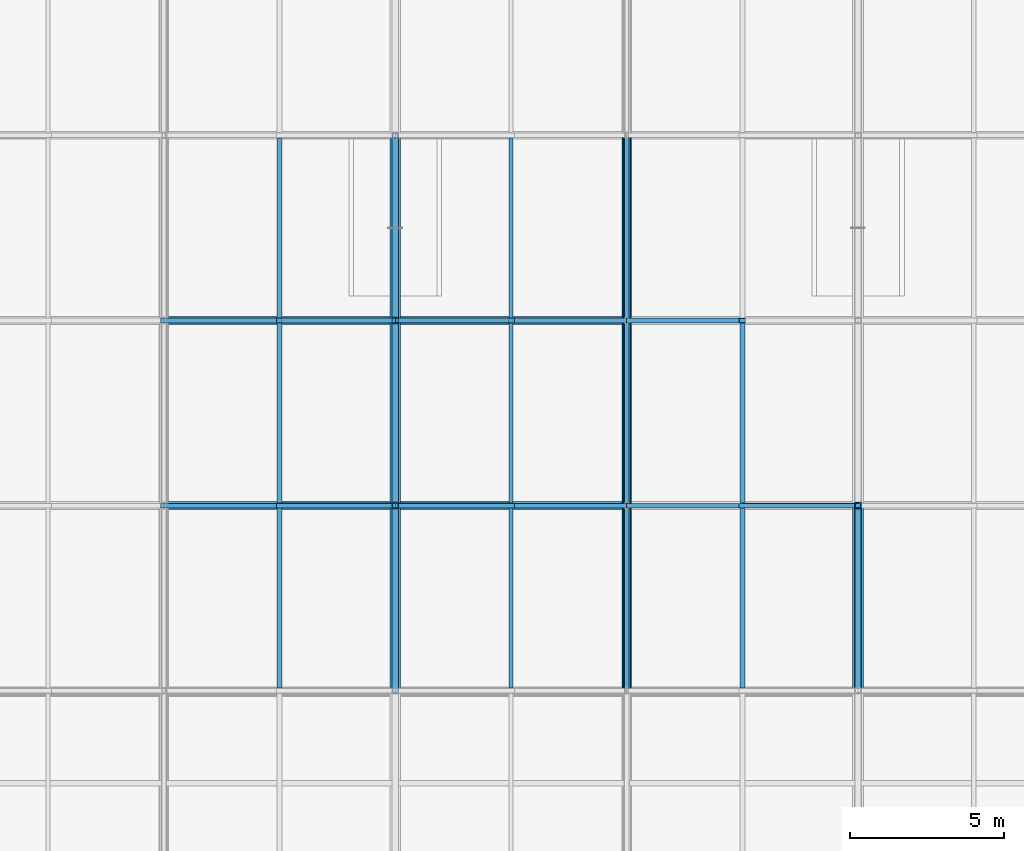
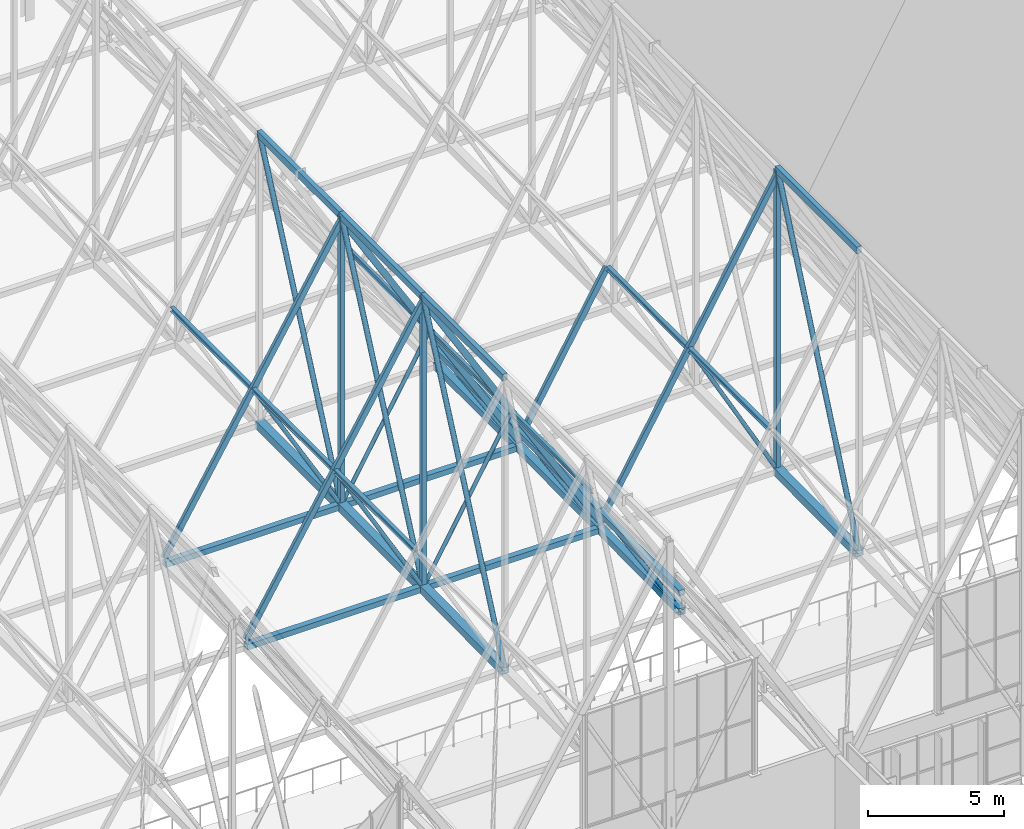
# One storey, part 103 of 324: 42 members, 8 beams.
"""IFC4 building model written with IfcOpenShell, lengths in metres."""

from ifc_helpers import new_model, si_unit, direction, frame, origin, origin_2d, place, context, subcontext, project, spatial, hollow_rectangle, hollow_circle, i_section, extrude, material, material_profile, profile_set, type_object, element, save


model = new_model("IFC4")

# Units and contexts
model_context = context("Model", 3, precision=1e-05, world=origin(), true_north=direction((0.0, 1.0)))
body_context = subcontext(model_context, "Body", "Model", "MODEL_VIEW")
ifc_project = project(units=[si_unit("LENGTHUNIT", "METRE"), si_unit("AREAUNIT", "SQUARE_METRE"), si_unit("VOLUMEUNIT", "CUBIC_METRE"), si_unit("PLANEANGLEUNIT", "RADIAN"), si_unit("MASSUNIT", "GRAM", prefix="KILO")], contexts=[model_context])

# Site, building, storey
site_placement = place(None, origin())
site = spatial("IfcSite", under=ifc_project, at=site_placement, CompositionType="ELEMENT")
building_placement = place(site_placement, origin())
building = spatial("IfcBuilding", under=site, at=building_placement, Name="Solvenia Promenade Tram Depot", CompositionType="ELEMENT")
storey_placement = place(building_placement, frame((0.0, 0.0, 4.5)))
storey = spatial("IfcBuildingStorey", under=building, at=storey_placement, Name="L01", CompositionType="ELEMENT", Elevation=4.5)

# Members
ifc_material_1 = material(Name="Structural steel ASTM A500 Gr. C", Category="steel")
ifc_material_profile_1 = material_profile(ifc_material_1, hollow_circle(Radius=0.109619140625, WallThickness=0.008056640625, at=origin_2d()), Name="CHS219.1x8", Category="steel")
ifc_profile_set_1 = profile_set([ifc_material_profile_1], Name="Structural steel ASTM A500 Gr. C")
member_type_1 = type_object("IfcMemberType", Name="Brace-CHS219x8", PredefinedType="BRACE", material=ifc_profile_set_1)
member_1_placement = place(storey_placement, frame((37.5, 78.0, 2.5439453125), z_axis=(0.0, 0.416336188857, 0.909210744464), x_axis=(-1.0, 0.0, 0.0)))
element("IfcMember", 1, at=member_1_placement, inside=storey, type_object=member_type_1, Name="Arched Truss T06 Web Diagonal S03", PredefinedType="BRACE", context=body_context, shape_type="SweptSolid", body=[
    extrude(hollow_circle(Radius=0.109619140625, WallThickness=0.008056640625, at=origin_2d()), origin(), (0.0, 0.0, 1.0), 14.411376953125),
])
member_2_placement = place(storey_placement, frame((37.5, 84.0, 2.614013671875), z_axis=(0.0, 0.418183944587, 0.908362366289), x_axis=(-1.0, 0.0, 0.0)))
element("IfcMember", 2, at=member_2_placement, inside=storey, type_object=member_type_1, Name="Arched Truss T06 Web Diagonal S04", PredefinedType="BRACE", context=body_context, shape_type="SweptSolid", body=[
    extrude(hollow_circle(Radius=0.109619140625, WallThickness=0.008056640625, at=origin_2d()), origin(), (0.0, 0.0, 1.0), 14.34765625),
])
member_3_placement = place(storey_placement, frame((37.5, 90.0, 2.656005859375), z_axis=(0.0, 0.419298352523, 0.907848495935), x_axis=(-1.0, 0.0, 0.0)))
element("IfcMember", 3, at=member_3_placement, inside=storey, type_object=member_type_1, Name="Arched Truss T06 Web Diagonal S05", PredefinedType="BRACE", context=body_context, shape_type="SweptSolid", body=[
    extrude(hollow_circle(Radius=0.109619140625, WallThickness=0.008056640625, at=origin_2d()), origin(), (0.0, 0.0, 1.0), 14.3095703125),
])
member_4_placement = place(storey_placement, frame((52.5, 78.0, 2.5439453125), z_axis=(0.0, 0.40503717219, 0.914300218279), x_axis=(-1.0, 0.0, 0.0)))
element("IfcMember", 4, at=member_4_placement, inside=storey, type_object=member_type_1, Name="Arched Truss T08 Web Diagonal S03", PredefinedType="BRACE", context=body_context, shape_type="SweptSolid", body=[
    extrude(hollow_circle(Radius=0.109619140625, WallThickness=0.008056640625, at=origin_2d()), origin(), (0.0, 0.0, 1.0), 14.8134765625),
])
ifc_material_profile_2 = material_profile(ifc_material_1, hollow_rectangle(XDim=0.14990234375, YDim=0.25, WallThickness=0.010009765625, at=origin_2d()), Name="HSS250x150x10", Category="steel")
ifc_profile_set_2 = profile_set([ifc_material_profile_2], Name="Structural steel ASTM A500 Gr. C")
member_type_2 = type_object("IfcMemberType", Name="Chord-HSS250x150x10", PredefinedType="CHORD", material=ifc_profile_set_2)
for number, where, z_axis, x_axis, name in (
    (5, (30.0, 84.0, 2.93017578125), (0.514584433357, 0.0, 0.857439712718), (0.0, 1.0, 0.0), "Zigzag Gable 03 West Lower Rafter"),
    (6, (33.75, 84.0, 9.1787109375), (0.514584433357, 0.0, 0.857439712718), (0.0, 1.0, 0.0), "Zigzag Gable 03 West Upper Rafter"),
    (7, (37.5, 84.0, 15.42724609375), (0.514584433357, 0.0, -0.857439712718), (0.0, 1.0, 0.0), "Zigzag Gable 03 East Upper Rafter"),
    (8, (41.25, 84.0, 9.1787109375), (0.514584433357, 0.0, -0.857439712718), (0.0, 1.0, 0.0), "Zigzag Gable 03 East Lower Rafter"),
    (9, (30.0, 90.0, 2.93017578125), (0.514584433357, 0.0, 0.857439712718), (0.0, 1.0, 0.0), "Zigzag Gable 03 West Lower Rafter"),
    (10, (33.75, 90.0, 9.1787109375), (0.514584433357, 0.0, 0.857439712718), (0.0, 1.0, 0.0), "Zigzag Gable 03 West Upper Rafter"),
    (11, (37.5, 90.0, 15.42724609375), (0.514584433357, 0.0, -0.857439712718), (0.0, 1.0, 0.0), "Zigzag Gable 03 East Upper Rafter"),
    (12, (41.25, 90.0, 9.1787109375), (0.514584433357, 0.0, -0.857439712718), (0.0, 1.0, 0.0), "Zigzag Gable 03 East Lower Rafter"),
):
    element("IfcMember", number, at=place(storey_placement, frame(where, z_axis=z_axis, x_axis=x_axis)), inside=storey, type_object=member_type_2, Name=name, PredefinedType="CHORD", context=body_context, shape_type="SweptSolid", body=[
        extrude(hollow_rectangle(XDim=0.14990234375, YDim=0.25, WallThickness=0.010009765625, at=origin_2d()), origin(), (0.0, 0.0, 1.0), 7.287353515625),
    ])
for number, where, z_axis, x_axis, name in (
    (13, (45.0, 84.0, 2.921142578125), (0.501516268578, 0.0, 0.865148214095), (0.0, 1.0, 0.0), "Zigzag Gable 04 West Lower Rafter"),
    (14, (48.75, 84.0, 9.39013671875), (0.501516268578, 0.0, 0.865148214095), (0.0, 1.0, 0.0), "Zigzag Gable 04 West Upper Rafter"),
    (15, (45.0, 90.0, 2.921142578125), (0.501516268578, 0.0, 0.865148214095), (0.0, 1.0, 0.0), "Zigzag Gable 04 West Lower Rafter"),
):
    element("IfcMember", number, at=place(storey_placement, frame(where, z_axis=z_axis, x_axis=x_axis)), inside=storey, type_object=member_type_2, Name=name, PredefinedType="CHORD", context=body_context, shape_type="SweptSolid", body=[
        extrude(hollow_rectangle(XDim=0.14990234375, YDim=0.25, WallThickness=0.010009765625, at=origin_2d()), origin(), (0.0, 0.0, 1.0), 7.477294921875),
    ])
ifc_material_profile_3 = material_profile(ifc_material_1, hollow_rectangle(XDim=0.25, YDim=0.25, WallThickness=0.010009765625, at=origin_2d()), Name="HSS250x250x10", Category="steel")
ifc_profile_set_3 = profile_set([ifc_material_profile_3], Name="Structural steel ASTM A500 Gr. C")
member_type_3 = type_object("IfcMemberType", Name="Chord-HSS250x250x10", PredefinedType="CHORD", material=ifc_profile_set_3)
for number, where, z_axis, x_axis, name in (
    (16, (45.0, 78.0, 3.3798828125), (0.0, 1.0, 0.0), (-1.0, 0.0, 0.0), "Arched Truss T07 Upper Chord S03"),
    (17, (45.0, 84.0, 3.3798828125), (0.0, 1.0, 0.0), (-1.0, 0.0, 0.0), "Arched Truss T07 Upper Chord S04"),
    (18, (45.0, 90.0, 3.3798828125), (0.0, 1.0, 0.0), (-1.0, 0.0, 0.0), "Arched Truss T07 Upper Chord S05"),
):
    element("IfcMember", number, at=place(storey_placement, frame(where, z_axis=z_axis, x_axis=x_axis)), inside=storey, type_object=member_type_3, Name=name, PredefinedType="CHORD", context=body_context, shape_type="SweptSolid", body=[
        extrude(hollow_rectangle(XDim=0.25, YDim=0.25, WallThickness=0.010009765625, at=origin_2d()), origin(), (0.0, 0.0, 1.0), 6.0),
    ])
for number, where, z_axis, x_axis, name in (
    (19, (30.0, 84.0, 2.614013671875), (1.0, 0.0, 0.0), (0.0, 1.0, 0.0), "Bottom-Chord Catenary Lateral Tie 021"),
    (20, (30.0, 90.0, 2.656005859375), (1.0, 0.0, 0.0), (0.0, 1.0, 0.0), "Bottom-Chord Catenary Lateral Tie 022"),
):
    element("IfcMember", number, at=place(storey_placement, frame(where, z_axis=z_axis, x_axis=x_axis)), inside=storey, type_object=member_type_3, Name=name, PredefinedType="CHORD", context=body_context, shape_type="SweptSolid", body=[
        extrude(hollow_rectangle(XDim=0.25, YDim=0.25, WallThickness=0.010009765625, at=origin_2d()), origin(), (0.0, 0.0, 1.0), 15.0),
    ])
ifc_material_profile_4 = material_profile(ifc_material_1, hollow_rectangle(XDim=0.199951171875, YDim=0.300048828125, WallThickness=0.012451171875, at=origin_2d()), Name="HSS300x200x12.5", Category="steel")
ifc_profile_set_4 = profile_set([ifc_material_profile_4], Name="Structural steel ASTM A500 Gr. C")
member_type_4 = type_object("IfcMemberType", Name="Chord-HSS300x200x12", PredefinedType="CHORD", material=ifc_profile_set_4)
for number, where, z_axis, x_axis, name in (
    (21, (37.5, 78.0, 15.64697265625), (0.0, 1.0, 0.0), (-1.0, 0.0, 0.0), "Arched Truss T06 Upper Chord S03"),
    (22, (37.5, 84.0, 15.64697265625), (0.0, 1.0, 0.0), (-1.0, 0.0, 0.0), "Arched Truss T06 Upper Chord S04"),
    (23, (37.5, 90.0, 15.64697265625), (0.0, 1.0, 0.0), (-1.0, 0.0, 0.0), "Arched Truss T06 Upper Chord S05"),
    (24, (52.5, 78.0, 16.087890625), (0.0, 1.0, 0.0), (-1.0, 0.0, 0.0), "Arched Truss T08 Upper Chord S03"),
):
    element("IfcMember", number, at=place(storey_placement, frame(where, z_axis=z_axis, x_axis=x_axis)), inside=storey, type_object=member_type_4, Name=name, PredefinedType="CHORD", context=body_context, shape_type="SweptSolid", body=[
        extrude(hollow_rectangle(XDim=0.199951171875, YDim=0.300048828125, WallThickness=0.012451171875, at=origin_2d()), origin(), (0.0, 0.0, 1.0), 6.0),
    ])
ifc_material_profile_5 = material_profile(ifc_material_1, hollow_rectangle(XDim=0.300048828125, YDim=0.300048828125, WallThickness=0.012451171875, at=origin_2d()), Name="HSS300x300x12.5", Category="steel")
ifc_profile_set_5 = profile_set([ifc_material_profile_5], Name="Structural steel ASTM A500 Gr. C")
member_type_5 = type_object("IfcMemberType", Name="Chord-HSS300x300x12", PredefinedType="CHORD", material=ifc_profile_set_5)
member_5_placement = place(storey_placement, frame((45.0, 78.0, 2.5439453125), z_axis=(0.0, 0.999931818432, 0.011677263667), x_axis=(-1.0, 0.0, 0.0)))
element("IfcMember", 25, at=member_5_placement, inside=storey, type_object=member_type_5, Name="Arched Truss T07 Bottom Chord S03", PredefinedType="CHORD", context=body_context, shape_type="SweptSolid", body=[
    extrude(hollow_rectangle(XDim=0.300048828125, YDim=0.300048828125, WallThickness=0.012451171875, at=origin_2d()), origin(), (0.0, 0.0, 1.0), 6.00048828125),
])
member_6_placement = place(storey_placement, frame((45.0, 84.0, 2.614013671875), z_axis=(0.0, 0.999975510013, 0.006998526519), x_axis=(-1.0, 0.0, 0.0)))
element("IfcMember", 26, at=member_6_placement, inside=storey, type_object=member_type_5, Name="Arched Truss T07 Bottom Chord S04", PredefinedType="CHORD", context=body_context, shape_type="SweptSolid", body=[
    extrude(hollow_rectangle(XDim=0.300048828125, YDim=0.300048828125, WallThickness=0.012451171875, at=origin_2d()), origin(), (0.0, 0.0, 1.0), 6.000244140625),
])
member_7_placement = place(storey_placement, frame((45.0, 90.0, 2.656005859375), z_axis=(0.0, 0.999997310351, 0.002319329699), x_axis=(-1.0, 0.0, 0.0)))
element("IfcMember", 27, at=member_7_placement, inside=storey, type_object=member_type_5, Name="Arched Truss T07 Bottom Chord S05", PredefinedType="CHORD", context=body_context, shape_type="SweptSolid", body=[
    extrude(hollow_rectangle(XDim=0.300048828125, YDim=0.300048828125, WallThickness=0.012451171875, at=origin_2d()), origin(), (0.0, 0.0, 1.0), 6.0),
])
ifc_material_profile_6 = material_profile(ifc_material_1, hollow_rectangle(XDim=0.35009765625, YDim=0.35009765625, WallThickness=0.01611328125, at=origin_2d()), Name="HSS350x350x16", Category="steel")
ifc_profile_set_6 = profile_set([ifc_material_profile_6], Name="Structural steel ASTM A500 Gr. C")
member_type_6 = type_object("IfcMemberType", Name="Chord-HSS350x350x16", PredefinedType="CHORD", material=ifc_profile_set_6)
member_8_placement = place(storey_placement, frame((37.5, 78.0, 2.5439453125), z_axis=(0.0, 0.999931818432, 0.011677263667), x_axis=(-1.0, 0.0, 0.0)))
element("IfcMember", 28, at=member_8_placement, inside=storey, type_object=member_type_6, Name="Arched Truss T06 Bottom Chord S03", PredefinedType="CHORD", context=body_context, shape_type="SweptSolid", body=[
    extrude(hollow_rectangle(XDim=0.35009765625, YDim=0.35009765625, WallThickness=0.01611328125, at=origin_2d()), origin(), (0.0, 0.0, 1.0), 6.00048828125),
])
member_9_placement = place(storey_placement, frame((37.5, 84.0, 2.614013671875), z_axis=(0.0, 0.999975510013, 0.006998526519), x_axis=(-1.0, 0.0, 0.0)))
element("IfcMember", 29, at=member_9_placement, inside=storey, type_object=member_type_6, Name="Arched Truss T06 Bottom Chord S04", PredefinedType="CHORD", context=body_context, shape_type="SweptSolid", body=[
    extrude(hollow_rectangle(XDim=0.35009765625, YDim=0.35009765625, WallThickness=0.01611328125, at=origin_2d()), origin(), (0.0, 0.0, 1.0), 6.000244140625),
])
member_10_placement = place(storey_placement, frame((37.5, 90.0, 2.656005859375), z_axis=(0.0, 0.999997310351, 0.002319329699), x_axis=(-1.0, 0.0, 0.0)))
element("IfcMember", 30, at=member_10_placement, inside=storey, type_object=member_type_6, Name="Arched Truss T06 Bottom Chord S05", PredefinedType="CHORD", context=body_context, shape_type="SweptSolid", body=[
    extrude(hollow_rectangle(XDim=0.35009765625, YDim=0.35009765625, WallThickness=0.01611328125, at=origin_2d()), origin(), (0.0, 0.0, 1.0), 6.0),
])
member_11_placement = place(storey_placement, frame((52.5, 78.0, 2.5439453125), z_axis=(0.0, 0.999931818432, 0.011677263667), x_axis=(-1.0, 0.0, 0.0)))
element("IfcMember", 31, at=member_11_placement, inside=storey, type_object=member_type_6, Name="Arched Truss T08 Bottom Chord S03", PredefinedType="CHORD", context=body_context, shape_type="SweptSolid", body=[
    extrude(hollow_rectangle(XDim=0.35009765625, YDim=0.35009765625, WallThickness=0.01611328125, at=origin_2d()), origin(), (0.0, 0.0, 1.0), 6.00048828125),
])
ifc_material_profile_7 = material_profile(ifc_material_1, hollow_rectangle(XDim=0.199951171875, YDim=0.199951171875, WallThickness=0.010009765625, at=origin_2d()), Name="HSS200x200x10", Category="steel")
ifc_profile_set_7 = profile_set([ifc_material_profile_7], Name="Structural steel ASTM A500 Gr. C")
member_type_7 = type_object("IfcMemberType", Name="Post-HSS200x200x10", PredefinedType="POST", material=ifc_profile_set_7)
member_12_placement = place(storey_placement, frame((37.5, 84.0, 2.614013671875), z_axis=(0.0, 0.0, 1.0), x_axis=(1.0, 0.0, 0.0)))
element("IfcMember", 32, at=member_12_placement, inside=storey, type_object=member_type_7, Name="Arched Truss T06 Web Post S03", PredefinedType="POST", context=body_context, shape_type="SweptSolid", body=[
    extrude(hollow_rectangle(XDim=0.199951171875, YDim=0.199951171875, WallThickness=0.010009765625, at=origin_2d()), origin(), (0.0, 0.0, 1.0), 13.032958984375),
])
member_13_placement = place(storey_placement, frame((37.5, 90.0, 2.656005859375), z_axis=(0.0, 0.0, 1.0), x_axis=(1.0, 0.0, 0.0)))
element("IfcMember", 33, at=member_13_placement, inside=storey, type_object=member_type_7, Name="Arched Truss T06 Web Post S04", PredefinedType="POST", context=body_context, shape_type="SweptSolid", body=[
    extrude(hollow_rectangle(XDim=0.199951171875, YDim=0.199951171875, WallThickness=0.010009765625, at=origin_2d()), origin(), (0.0, 0.0, 1.0), 12.990966796875),
])
member_14_placement = place(storey_placement, frame((52.5, 84.0, 2.614013671875), z_axis=(0.0, 0.0, 1.0), x_axis=(1.0, 0.0, 0.0)))
element("IfcMember", 34, at=member_14_placement, inside=storey, type_object=member_type_7, Name="Arched Truss T08 Web Post S03", PredefinedType="POST", context=body_context, shape_type="SweptSolid", body=[
    extrude(hollow_rectangle(XDim=0.199951171875, YDim=0.199951171875, WallThickness=0.010009765625, at=origin_2d()), origin(), (0.0, 0.0, 1.0), 13.473876953125),
])

# Beams
ifc_material_2 = material(Name="Structural steel ASTM A992 Gr. 50", Category="steel")
ifc_material_profile_8 = material_profile(ifc_material_2, i_section(OverallWidth=0.133056640625, OverallDepth=0.20703125, WebThickness=0.005859375, FlangeThickness=0.00830078125, FilletRadius=0.009033203125, at=origin_2d()), Name="W200x27", Category="steel")
ifc_profile_set_8 = profile_set([ifc_material_profile_8], Name="Structural steel ASTM A992 Gr. 50")
beam_type_1 = type_object("IfcBeamType", Name="Purlin-W200x27", PredefinedType="USERDEFINED", material=ifc_profile_set_8)
for number, where, z_axis, x_axis, name in (
    (35, (41.25, 78.0849609375, 9.169677734375), (0.0, 1.0, 0.0), (-1.0, 0.0, 0.0), "Gable Roof Purlin E-0046"),
    (36, (41.25, 84.0849609375, 9.169677734375), (0.0, 1.0, 0.0), (-1.0, 0.0, 0.0), "Gable Roof Purlin E-0048"),
    (37, (41.25, 90.0849609375, 9.169677734375), (0.0, 1.0, 0.0), (-1.0, 0.0, 0.0), "Gable Roof Purlin E-0050"),
):
    element("IfcBeam", number, at=place(storey_placement, frame(where, z_axis=z_axis, x_axis=x_axis)), inside=storey, type_object=beam_type_1, Name=name, ObjectType="PURLIN", PredefinedType="USERDEFINED", context=body_context, shape_type="SweptSolid", body=[
        extrude(i_section(OverallWidth=0.133056640625, OverallDepth=0.20703125, WebThickness=0.005859375, FlangeThickness=0.00830078125, FilletRadius=0.009033203125, at=origin_2d()), origin(), (0.0, 0.0, 1.0), 5.830078125),
    ])
ifc_material_profile_9 = material_profile(ifc_material_2, i_section(OverallWidth=0.1650390625, OverallDepth=0.200927734375, WebThickness=0.006103515625, FlangeThickness=0.01025390625, FilletRadius=0.010009765625, at=origin_2d()), Name="W200x36", Category="steel")
ifc_profile_set_9 = profile_set([ifc_material_profile_9], Name="Structural steel ASTM A992 Gr. 50")
beam_type_2 = type_object("IfcBeamType", Name="Purlin-W200x36", PredefinedType="USERDEFINED", material=ifc_profile_set_9)
for number, where, z_axis, x_axis, name in (
    (38, (33.75, 78.0849609375, 9.169677734375), (0.0, 1.0, 0.0), (-1.0, 0.0, 0.0), "Gable Roof Purlin W-0045"),
    (39, (33.75, 84.0849609375, 9.169677734375), (0.0, 1.0, 0.0), (-1.0, 0.0, 0.0), "Gable Roof Purlin W-0047"),
    (40, (33.75, 90.0849609375, 9.169677734375), (0.0, 1.0, 0.0), (-1.0, 0.0, 0.0), "Gable Roof Purlin W-0049"),
    (41, (48.75, 78.0849609375, 9.375732421875), (0.0, 1.0, 0.0), (-1.0, 0.0, 0.0), "Gable Roof Purlin W-0065"),
    (42, (48.75, 84.0849609375, 9.375732421875), (0.0, 1.0, 0.0), (-1.0, 0.0, 0.0), "Gable Roof Purlin W-0067"),
):
    element("IfcBeam", number, at=place(storey_placement, frame(where, z_axis=z_axis, x_axis=x_axis)), inside=storey, type_object=beam_type_2, Name=name, ObjectType="PURLIN", PredefinedType="USERDEFINED", context=body_context, shape_type="SweptSolid", body=[
        extrude(i_section(OverallWidth=0.1650390625, OverallDepth=0.200927734375, WebThickness=0.006103515625, FlangeThickness=0.01025390625, FilletRadius=0.010009765625, at=origin_2d()), origin(), (0.0, 0.0, 1.0), 5.830078125),
    ])

# Members
ifc_material_profile_10 = material_profile(ifc_material_1, hollow_circle(Radius=0.084228515625, WallThickness=0.008056640625, at=origin_2d()), Name="CHS168.3x8", Category="steel")
ifc_profile_set_10 = profile_set([ifc_material_profile_10], Name="Structural steel ASTM A500 Gr. C")
member_type_8 = type_object("IfcMemberType", Name="WebDiag-CHS168x8", PredefinedType="BRACE", material=ifc_profile_set_10)
member_15_placement = place(storey_placement, frame((45.0, 78.0, 2.5439453125), z_axis=(0.0, 0.990433608353, 0.13799009908), x_axis=(-1.0, 0.0, 0.0)))
element("IfcMember", 43, at=member_15_placement, inside=storey, type_object=member_type_8, Name="Arched Truss T07 Web Diagonal S03", PredefinedType="BRACE", context=body_context, shape_type="SweptSolid", body=[
    extrude(hollow_circle(Radius=0.084228515625, WallThickness=0.008056640625, at=origin_2d()), origin(), (0.0, 0.0, 1.0), 6.057861328125),
])
member_16_placement = place(storey_placement, frame((45.0, 84.0, 2.614013671875), z_axis=(0.0, 0.991951613347, 0.126617521609), x_axis=(-1.0, 0.0, 0.0)))
element("IfcMember", 44, at=member_16_placement, inside=storey, type_object=member_type_8, Name="Arched Truss T07 Web Diagonal S04", PredefinedType="BRACE", context=body_context, shape_type="SweptSolid", body=[
    extrude(hollow_circle(Radius=0.084228515625, WallThickness=0.008056640625, at=origin_2d()), origin(), (0.0, 0.0, 1.0), 6.048583984375),
])
member_17_placement = place(storey_placement, frame((45.0, 90.0, 2.656005859375), z_axis=(0.0, 0.992800749036, 0.119777596879), x_axis=(-1.0, 0.0, 0.0)))
element("IfcMember", 45, at=member_17_placement, inside=storey, type_object=member_type_8, Name="Arched Truss T07 Web Diagonal S05", PredefinedType="BRACE", context=body_context, shape_type="SweptSolid", body=[
    extrude(hollow_circle(Radius=0.084228515625, WallThickness=0.008056640625, at=origin_2d()), origin(), (0.0, 0.0, 1.0), 6.04345703125),
])
for number, where, z_axis, x_axis, name in (
    (46, (37.5, 84.0, 2.614013671875), (-0.496013737424, 0.0, 0.868314673541), (0.0, -1.0, 0.0), "Zigzag Gable 03 West Knee Strut"),
    (47, (37.5, 84.0, 2.614013671875), (0.496013737424, 0.0, 0.868314673541), (0.0, 1.0, 0.0), "Zigzag Gable 03 East Knee Strut"),
):
    element("IfcMember", number, at=place(storey_placement, frame(where, z_axis=z_axis, x_axis=x_axis)), inside=storey, type_object=member_type_8, Name=name, PredefinedType="BRACE", context=body_context, shape_type="SweptSolid", body=[
        extrude(hollow_circle(Radius=0.084228515625, WallThickness=0.008056640625, at=origin_2d()), origin(), (0.0, 0.0, 1.0), 7.560302734375),
    ])
for number, where, z_axis, x_axis, name in (
    (48, (37.5, 90.0, 2.656005859375), (-0.498415644551, 0.0, 0.866938201527), (0.0, -1.0, 0.0), "Zigzag Gable 03 West Knee Strut"),
    (49, (37.5, 90.0, 2.656005859375), (0.498415644551, 0.0, 0.866938201527), (0.0, 1.0, 0.0), "Zigzag Gable 03 East Knee Strut"),
):
    element("IfcMember", number, at=place(storey_placement, frame(where, z_axis=z_axis, x_axis=x_axis)), inside=storey, type_object=member_type_8, Name=name, PredefinedType="BRACE", context=body_context, shape_type="SweptSolid", body=[
        extrude(hollow_circle(Radius=0.084228515625, WallThickness=0.008056640625, at=origin_2d()), origin(), (0.0, 0.0, 1.0), 7.52392578125),
    ])
member_18_placement = place(storey_placement, frame((52.5, 84.0, 2.614013671875), z_axis=(-0.484210311814, 0.0, 0.874951640911), x_axis=(0.0, -1.0, 0.0)))
element("IfcMember", 50, at=member_18_placement, inside=storey, type_object=member_type_8, Name="Zigzag Gable 04 West Knee Strut", PredefinedType="BRACE", context=body_context, shape_type="SweptSolid", body=[
    extrude(hollow_circle(Radius=0.084228515625, WallThickness=0.008056640625, at=origin_2d()), origin(), (0.0, 0.0, 1.0), 7.74462890625),
])

save(model, "model.ifc")
